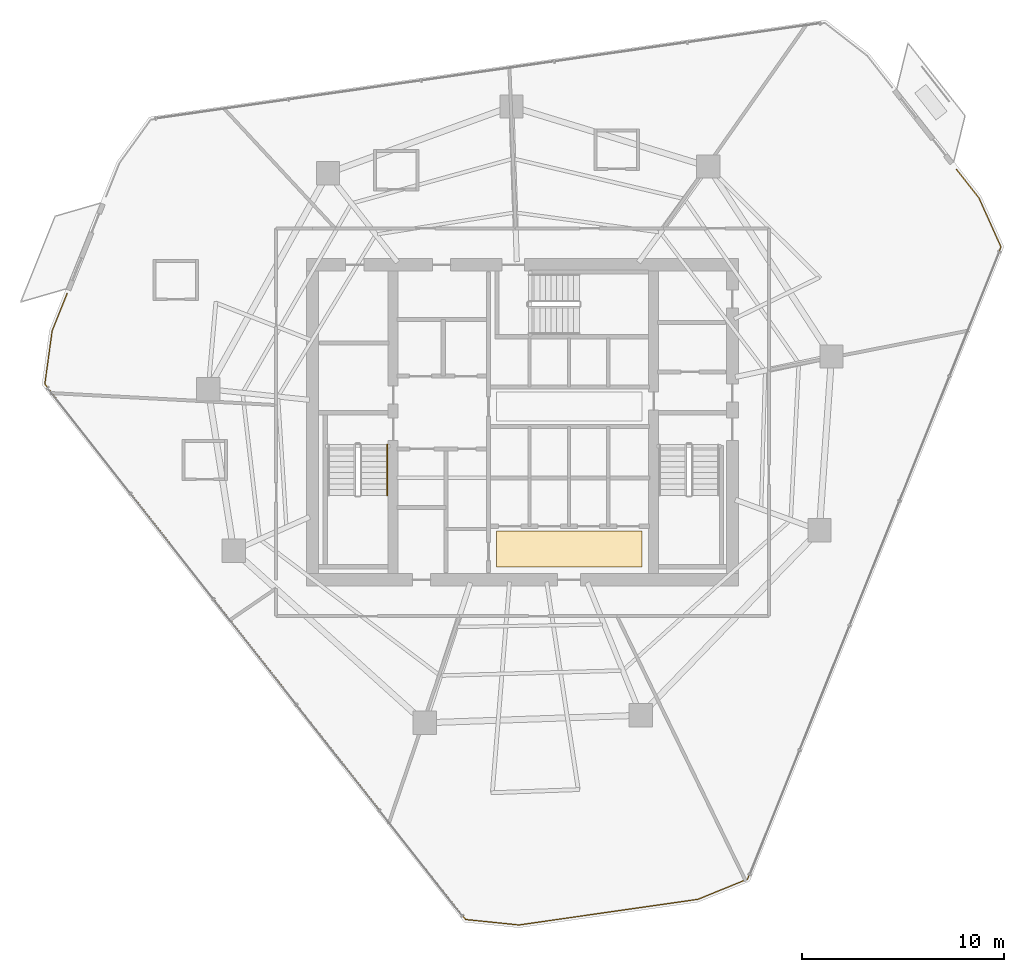
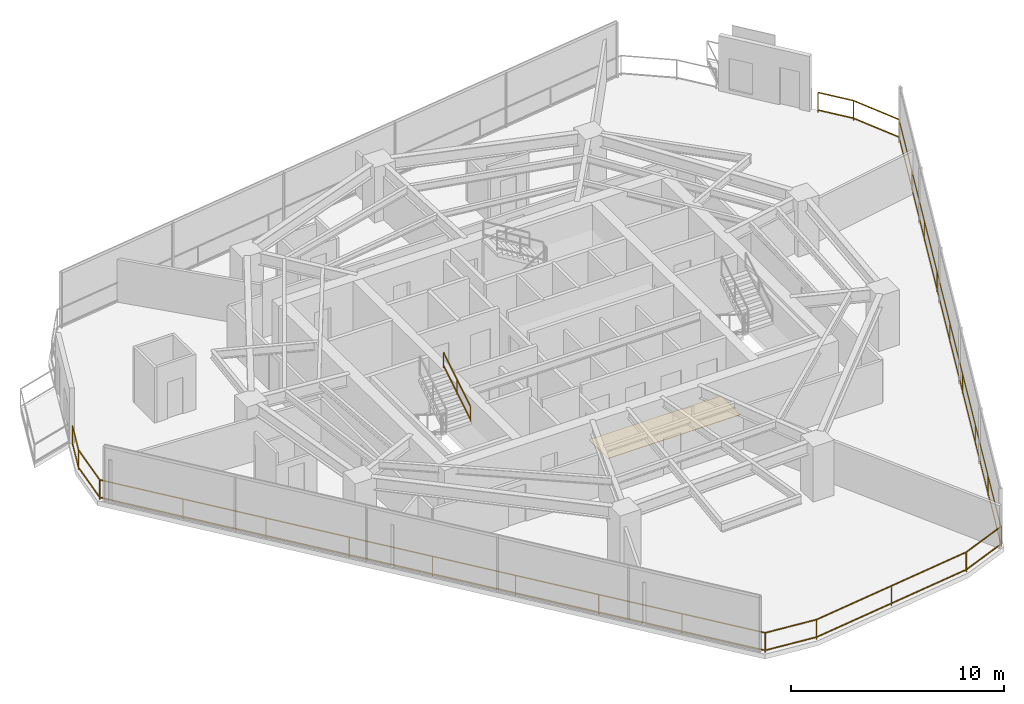
# One storey, part 28 of 29: 2 railings, 1 covering.
"""IFC4 building model written with IfcOpenShell, lengths in metres."""

from ifc_helpers import new_model, si_unit, direction, frame, origin, origin_2d, place, context, subcontext, project, spatial, rectangle, extrude, material, layer, layer_set, type_object, element, save


model = new_model("IFC4")

# Units and contexts
model_context = context("Model", 3, precision=1e-05, world=origin(), true_north=direction((0.0, 1.0)))
body_context = subcontext(model_context, "Body", "Model", "MODEL_VIEW")
ifc_project = project(units=[si_unit("LENGTHUNIT", "METRE"), si_unit("AREAUNIT", "SQUARE_METRE"), si_unit("VOLUMEUNIT", "CUBIC_METRE"), si_unit("PLANEANGLEUNIT", "RADIAN"), si_unit("MASSUNIT", "GRAM", prefix="KILO")], contexts=[model_context])

# Site, building, storey
site_placement = place(None, origin())
site = spatial("IfcSite", under=ifc_project, at=site_placement, CompositionType="ELEMENT")
building_placement = place(site_placement, origin())
building = spatial("IfcBuilding", under=site, at=building_placement, Name="Qarnah Convention Tower", CompositionType="ELEMENT")
storey_placement = place(building_placement, frame((0.0, 0.0, 97.050048828125)))
storey = spatial("IfcBuildingStorey", under=building, at=storey_placement, Name="L25", CompositionType="ELEMENT", Elevation=97.050048828125)

# Covering
ifc_material_1 = material(Name="Porcelain stone floor tile", Category="masonry")
ifc_layer = layer(ifc_material_1, 0.02001953125)
ifc_layer_set = layer_set([ifc_layer], Name="Porcelain stone floor tile")
covering_type = type_object("IfcCoveringType", Name="COV-FLOOR-20", PredefinedType="FLOORING", material=ifc_layer_set)
covering_placement = place(storey_placement, frame((39.52001953125, 20.1201171875, 0.0), z_axis=(0.0, 0.0, 1.0), x_axis=(1.0, 0.0, 0.0)))
element("IfcCovering", 1, at=covering_placement, inside=storey, type_object=covering_type, Name="L25 lift lobby porcelain stone flooring", PredefinedType="FLOORING", context=body_context, shape_type="SweptSolid", body=[
    extrude(rectangle(XDim=7.199951171875, YDim=1.800048828125, at=origin_2d()), origin(), (0.0, 0.0, 1.0), 0.02001953125),
])

# Railings
ifc_material_2 = material(Name="Black anodised aluminium", Category="aluminium")
railing_type_1 = type_object("IfcRailingType", Name="RL-EXT-GUARD-1150", PredefinedType="GUARDRAIL", material=ifc_material_2)
railing_1_placement = place(storey_placement, frame((58.702880859375, 38.9150390625, 0.0)))
element("IfcRailing", 2, at=railing_1_placement, inside=storey, type_object=railing_type_1, Name="L25 slab-edge perimeter safety guard 02", PredefinedType="GUARDRAIL", context=body_context, shape_type="SweptSolid", body=[
    extrude(rectangle(XDim=0.048095703125, YDim=0.048095703125, at=origin_2d()), frame((0.0, 0.0, 1.1259765625), z_axis=(0.617881669424, -0.786271099933, 0.0), x_axis=(0.786271099933, 0.617881669424, 0.0)), (0.0, 0.0, 1.0), 1.79345703125),
    extrude(rectangle(XDim=0.048095703125, YDim=0.048095703125, at=origin_2d()), frame((0.0, 0.0, 0.1201171875), z_axis=(0.617881669424, -0.786271099933, 0.0), x_axis=(0.786271099933, 0.617881669424, 0.0)), (0.0, 0.0, 1.0), 1.79345703125),
    extrude(rectangle(XDim=0.048095703125, YDim=0.048095703125, at=origin_2d()), frame((1.108154296875, -1.41015625, 1.1259765625), z_axis=(0.409277818585, -0.912409813195, 0.0), x_axis=(0.912409813195, 0.409277818585, 0.0)), (0.0, 0.0, 1.0), 2.6533203125),
    extrude(rectangle(XDim=0.048095703125, YDim=0.048095703125, at=origin_2d()), frame((1.108154296875, -1.41015625, 0.1201171875), z_axis=(0.409277818585, -0.912409813195, 0.0), x_axis=(0.912409813195, 0.409277818585, 0.0)), (0.0, 0.0, 1.0), 2.6533203125),
    extrude(rectangle(XDim=0.048095703125, YDim=0.048095703125, at=origin_2d()), frame((2.194091796875, -3.8310546875, 1.1259765625), z_axis=(-0.372019574289, -0.928224884576, 0.0), x_axis=(0.928224884576, -0.372019574289, 0.0)), (0.0, 0.0, 1.0), 33.72900390625),
    extrude(rectangle(XDim=0.048095703125, YDim=0.048095703125, at=origin_2d()), frame((2.194091796875, -3.8310546875, 0.1201171875), z_axis=(-0.372019574289, -0.928224884576, 0.0), x_axis=(0.928224884576, -0.372019574289, 0.0)), (0.0, 0.0, 1.0), 33.72900390625),
    extrude(rectangle(XDim=0.048095703125, YDim=0.048095703125, at=origin_2d()), frame((-10.353759765625, -35.13916015625, 1.1259765625), z_axis=(-0.926173355571, -0.377098018332, 0.0), x_axis=(0.377098018332, -0.926173355571, 0.0)), (0.0, 0.0, 1.0), 2.65185546875),
    extrude(rectangle(XDim=0.048095703125, YDim=0.048095703125, at=origin_2d()), frame((-10.353759765625, -35.13916015625, 0.1201171875), z_axis=(-0.926173355571, -0.377098018332, 0.0), x_axis=(0.377098018332, -0.926173355571, 0.0)), (0.0, 0.0, 1.0), 2.65185546875),
    extrude(rectangle(XDim=0.048095703125, YDim=0.048095703125, at=origin_2d()), frame((-12.809814453125, -36.13916015625, 1.1259765625), z_axis=(-0.989880139295, -0.141905989403, 0.0), x_axis=(0.141905989403, -0.989880139295, 0.0)), (0.0, 0.0, 1.0), 8.95654296875),
    extrude(rectangle(XDim=0.048095703125, YDim=0.048095703125, at=origin_2d()), frame((-12.809814453125, -36.13916015625, 0.1201171875), z_axis=(-0.989880139295, -0.141905989403, 0.0), x_axis=(0.141905989403, -0.989880139295, 0.0)), (0.0, 0.0, 1.0), 8.95654296875),
    extrude(rectangle(XDim=0.048095703125, YDim=0.048095703125, at=origin_2d()), frame((-21.67578125, -37.41015625, 1.1259765625), z_axis=(-0.994806794446, 0.101781342707, 0.0), x_axis=(-0.101781342707, -0.994806794446, 0.0)), (0.0, 0.0, 1.0), 2.65283203125),
    extrude(rectangle(XDim=0.048095703125, YDim=0.048095703125, at=origin_2d()), frame((-21.67578125, -37.41015625, 0.1201171875), z_axis=(-0.994806794446, 0.101781342707, 0.0), x_axis=(-0.101781342707, -0.994806794446, 0.0)), (0.0, 0.0, 1.0), 2.65283203125),
    extrude(rectangle(XDim=0.048095703125, YDim=0.048095703125, at=origin_2d()), frame((-24.31494140625, -37.14013671875, 1.1259765625), z_axis=(-0.617852880394, 0.786293722593, 0.0), x_axis=(-0.786293722593, -0.617852880394, 0.0)), (0.0, 0.0, 1.0), 33.727783203125),
    extrude(rectangle(XDim=0.048095703125, YDim=0.048095703125, at=origin_2d()), frame((-24.31494140625, -37.14013671875, 0.1201171875), z_axis=(-0.617852880394, 0.786293722593, 0.0), x_axis=(-0.786293722593, -0.617852880394, 0.0)), (0.0, 0.0, 1.0), 33.727783203125),
    extrude(rectangle(XDim=0.048095703125, YDim=0.048095703125, at=origin_2d()), frame((-45.15380859375, -10.6201171875, 1.1259765625), z_axis=(0.136020757038, 0.990705987493, 0.0), x_axis=(-0.990705987493, 0.136020757038, 0.0)), (0.0, 0.0, 1.0), 2.65283203125),
    extrude(rectangle(XDim=0.048095703125, YDim=0.048095703125, at=origin_2d()), frame((-45.15380859375, -10.6201171875, 0.1201171875), z_axis=(0.136020757038, 0.990705987493, 0.0), x_axis=(-0.990705987493, 0.136020757038, 0.0)), (0.0, 0.0, 1.0), 2.65283203125),
    extrude(rectangle(XDim=0.048095703125, YDim=0.048095703125, at=origin_2d()), frame((-44.79296875, -7.991943359375, 1.1259765625), z_axis=(0.372314725513, 0.928106537616, 0.0), x_axis=(-0.928106537616, 0.372314725513, 0.0)), (0.0, 0.0, 1.0), 2.00390625),
    extrude(rectangle(XDim=0.048095703125, YDim=0.048095703125, at=origin_2d()), frame((-44.79296875, -7.991943359375, 0.1201171875), z_axis=(0.372314725513, 0.928106537616, 0.0), x_axis=(-0.928106537616, 0.372314725513, 0.0)), (0.0, 0.0, 1.0), 2.00390625),
    extrude(rectangle(XDim=0.0419921875, YDim=0.0419921875, at=origin_2d()), origin(), (0.0, 0.0, 1.0), 1.101806640625),
    extrude(rectangle(XDim=0.0419921875, YDim=0.0419921875, at=origin_2d()), frame((1.108154296875, -1.41015625, 0.0)), (0.0, 0.0, 1.0), 1.101806640625),
    extrude(rectangle(XDim=0.0419921875, YDim=0.0419921875, at=origin_2d()), frame((2.194091796875, -3.8310546875, 0.0)), (0.0, 0.0, 1.0), 1.101806640625),
    extrude(rectangle(XDim=0.0419921875, YDim=0.0419921875, at=origin_2d()), frame((0.62548828125, -7.74462890625, 0.0)), (0.0, 0.0, 1.0), 1.101806640625),
    extrude(rectangle(XDim=0.0419921875, YDim=0.0419921875, at=origin_2d()), frame((-0.94287109375, -11.658203125, 0.0)), (0.0, 0.0, 1.0), 1.101806640625),
    extrude(rectangle(XDim=0.0419921875, YDim=0.0419921875, at=origin_2d()), frame((-2.51123046875, -15.571533203125, 0.0)), (0.0, 0.0, 1.0), 1.101806640625),
    extrude(rectangle(XDim=0.0419921875, YDim=0.0419921875, at=origin_2d()), frame((-4.079833984375, -19.485107421875, 0.0)), (0.0, 0.0, 1.0), 1.101806640625),
    extrude(rectangle(XDim=0.0419921875, YDim=0.0419921875, at=origin_2d()), frame((-5.6484375, -23.398681640625, 0.0)), (0.0, 0.0, 1.0), 1.101806640625),
    extrude(rectangle(XDim=0.0419921875, YDim=0.0419921875, at=origin_2d()), frame((-7.216796875, -27.31201171875, 0.0)), (0.0, 0.0, 1.0), 1.101806640625),
    extrude(rectangle(XDim=0.0419921875, YDim=0.0419921875, at=origin_2d()), frame((-8.78515625, -31.2255859375, 0.0)), (0.0, 0.0, 1.0), 1.101806640625),
    extrude(rectangle(XDim=0.0419921875, YDim=0.0419921875, at=origin_2d()), frame((-10.353759765625, -35.13916015625, 0.0)), (0.0, 0.0, 1.0), 1.101806640625),
    extrude(rectangle(XDim=0.0419921875, YDim=0.0419921875, at=origin_2d()), frame((-12.809814453125, -36.13916015625, 0.0)), (0.0, 0.0, 1.0), 1.101806640625),
    extrude(rectangle(XDim=0.0419921875, YDim=0.0419921875, at=origin_2d()), frame((-17.24267578125, -36.774658203125, 0.0)), (0.0, 0.0, 1.0), 1.101806640625),
    extrude(rectangle(XDim=0.0419921875, YDim=0.0419921875, at=origin_2d()), frame((-21.67578125, -37.41015625, 0.0)), (0.0, 0.0, 1.0), 1.101806640625),
    extrude(rectangle(XDim=0.0419921875, YDim=0.0419921875, at=origin_2d()), frame((-24.31494140625, -37.14013671875, 0.0)), (0.0, 0.0, 1.0), 1.101806640625),
    extrude(rectangle(XDim=0.0419921875, YDim=0.0419921875, at=origin_2d()), frame((-26.919921875, -33.8251953125, 0.0)), (0.0, 0.0, 1.0), 1.101806640625),
    extrude(rectangle(XDim=0.0419921875, YDim=0.0419921875, at=origin_2d()), frame((-29.524658203125, -30.51025390625, 0.0)), (0.0, 0.0, 1.0), 1.101806640625),
    extrude(rectangle(XDim=0.0419921875, YDim=0.0419921875, at=origin_2d()), frame((-32.12939453125, -27.195068359375, 0.0)), (0.0, 0.0, 1.0), 1.101806640625),
    extrude(rectangle(XDim=0.0419921875, YDim=0.0419921875, at=origin_2d()), frame((-34.734375, -23.880126953125, 0.0)), (0.0, 0.0, 1.0), 1.101806640625),
    extrude(rectangle(XDim=0.0419921875, YDim=0.0419921875, at=origin_2d()), frame((-37.33935546875, -20.565185546875, 0.0)), (0.0, 0.0, 1.0), 1.101806640625),
    extrude(rectangle(XDim=0.0419921875, YDim=0.0419921875, at=origin_2d()), frame((-39.944091796875, -17.25, 0.0)), (0.0, 0.0, 1.0), 1.101806640625),
    extrude(rectangle(XDim=0.0419921875, YDim=0.0419921875, at=origin_2d()), frame((-42.548828125, -13.93505859375, 0.0)), (0.0, 0.0, 1.0), 1.101806640625),
    extrude(rectangle(XDim=0.0419921875, YDim=0.0419921875, at=origin_2d()), frame((-45.15380859375, -10.6201171875, 0.0)), (0.0, 0.0, 1.0), 1.101806640625),
    extrude(rectangle(XDim=0.0419921875, YDim=0.0419921875, at=origin_2d()), frame((-44.79296875, -7.991943359375, 0.0)), (0.0, 0.0, 1.0), 1.101806640625),
    extrude(rectangle(XDim=0.0419921875, YDim=0.0419921875, at=origin_2d()), frame((-44.046875, -6.132080078125, 0.0)), (0.0, 0.0, 1.0), 1.101806640625),
])
ifc_material_3 = material(Name="Structural steel S355JR", Category="steel")
railing_type_2 = type_object("IfcRailingType", Name="RL-STAIR-HAND-900", PredefinedType="HANDRAIL", material=ifc_material_3)
railing_2_placement = place(storey_placement, frame((30.5, 22.780029296875, 1.8974609375)))
element("IfcRailing", 3, at=railing_2_placement, inside=storey, type_object=railing_type_2, Name="L25 ST-1 stair handrail 2", PredefinedType="HANDRAIL", context=body_context, shape_type="SweptSolid", body=[
    extrude(rectangle(XDim=0.048095703125, YDim=0.048095703125, at=origin_2d()), frame((0.0, 0.0, 0.8759765625), z_axis=(0.0, 0.851400495292, 0.524516154772), x_axis=(-1.0, 0.0, 0.0)), (0.0, 0.0, 1.0), 2.9599609375),
    extrude(rectangle(XDim=0.048095703125, YDim=0.048095703125, at=origin_2d()), frame((0.0, 0.0, 0.1201171875), z_axis=(0.0, 0.851400495292, 0.524516154772), x_axis=(-1.0, 0.0, 0.0)), (0.0, 0.0, 1.0), 2.9599609375),
    extrude(rectangle(XDim=0.0419921875, YDim=0.0419921875, at=origin_2d()), origin(), (0.0, 0.0, 1.0), 0.851806640625),
    extrude(rectangle(XDim=0.0419921875, YDim=0.0419921875, at=origin_2d()), frame((0.0, 1.260009765625, 0.7763671875)), (0.0, 0.0, 1.0), 0.851806640625),
    extrude(rectangle(XDim=0.0419921875, YDim=0.0419921875, at=origin_2d()), frame((0.0, 2.52001953125, 1.552490234375)), (0.0, 0.0, 1.0), 0.851806640625),
])

save(model, "model.ifc")
